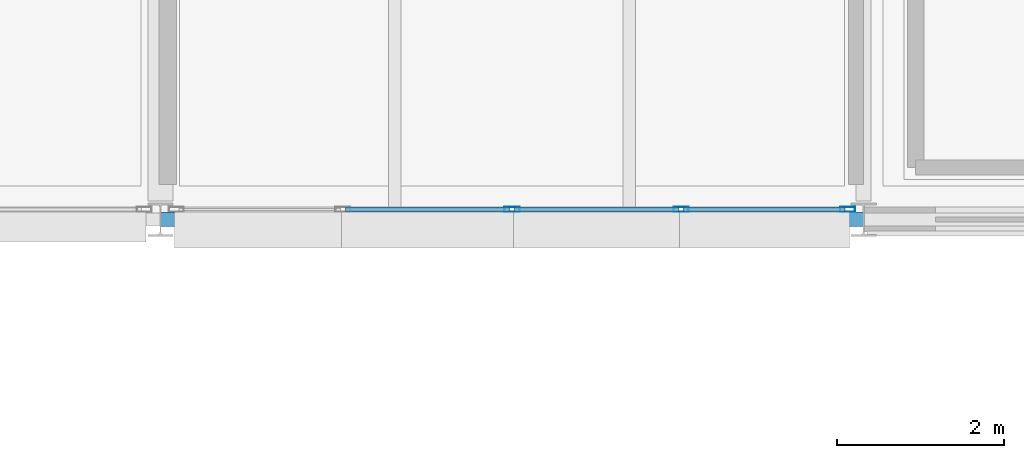
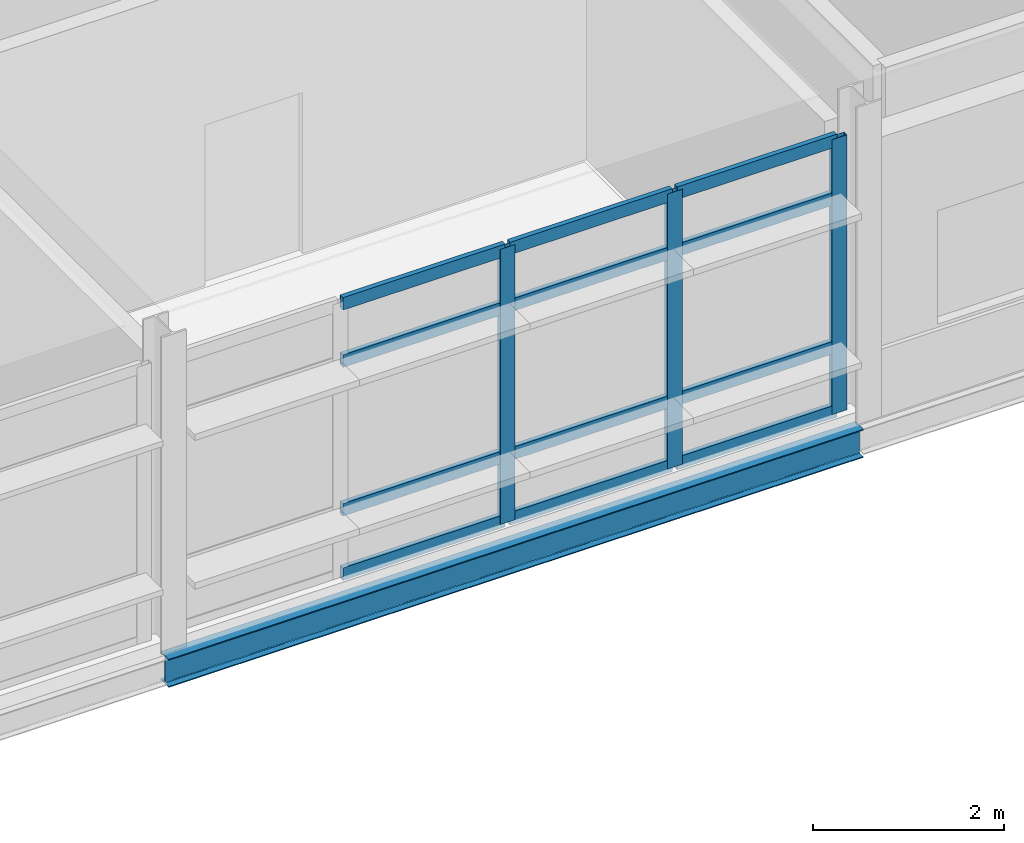
# One storey, part 37 of 66: 15 members, 1 beam, 1 element without a shape of its own.
"""IFC4 building model written with IfcOpenShell, lengths in metres."""

from ifc_helpers import new_model, si_unit, direction, frame, origin, origin_2d, place, context, subcontext, project, spatial, hollow_rectangle, i_section, extrude, material, material_profile, profile_set, type_object, element, aggregate, save


model = new_model("IFC4")

# Units and contexts
model_context = context("Model", 3, precision=1e-05, world=origin(), true_north=direction((0.0, 1.0)))
body_context = subcontext(model_context, "Body", "Model", "MODEL_VIEW")
ifc_project = project(units=[si_unit("LENGTHUNIT", "METRE"), si_unit("AREAUNIT", "SQUARE_METRE"), si_unit("VOLUMEUNIT", "CUBIC_METRE"), si_unit("PLANEANGLEUNIT", "RADIAN"), si_unit("MASSUNIT", "GRAM", prefix="KILO")], contexts=[model_context])

# Site, building, storey
site_placement = place(None, origin())
site = spatial("IfcSite", under=ifc_project, at=site_placement, CompositionType="ELEMENT")
building_placement = place(site_placement, origin())
building = spatial("IfcBuilding", under=site, at=building_placement, Name="Mersafa Astral City Hall", CompositionType="ELEMENT")
storey_placement = place(building_placement, frame((0.0, 0.0, 22.050048828125)))
storey = spatial("IfcBuildingStorey", under=building, at=storey_placement, Name="L05", CompositionType="ELEMENT", Elevation=22.050048828125)

# Curtain wall, members
ifc_material_1 = material(Name="Anodised bronze aluminium framing", Category="aluminium")
curtain_wall_type = type_object("IfcCurtainWallType", Name="ENV-CW-5", PredefinedType="USERDEFINED", material=ifc_material_1)
curtain_wall_placement = place(storey_placement, origin())
curtain_wall = element("IfcCurtainWall", 1, at=curtain_wall_placement, inside=storey, type_object=curtain_wall_type, Name="L05 Unitised solar curtain wall 244", ObjectType="UNITISED CURTAIN WALL", PredefinedType="USERDEFINED")
ifc_material_profile_1 = material_profile(ifc_material_1, hollow_rectangle(XDim=0.06005859375, YDim=0.179931640625, WallThickness=0.00390625, at=origin_2d()), Name="RHS 60x180x4")
ifc_profile_set_1 = profile_set([ifc_material_profile_1], Name="Anodised bronze aluminium framing")
member_type_1 = type_object("IfcMemberType", Name="ENV-CW-MUL-1", PredefinedType="MULLION", material=ifc_profile_set_1)
member_1_placement = place(storey_placement, frame((155.39990234375, 100.919921875, -0.001953125), z_axis=(0.0, 0.0, 1.0), x_axis=(0.0, 1.0, 0.0)))
member_1 = element("IfcMember", 2, at=member_1_placement, type_object=member_type_1, Name="CW-5 mullion 3", PredefinedType="MULLION", context=body_context, shape_type="SweptSolid", body=[
    extrude(hollow_rectangle(XDim=0.06005859375, YDim=0.179931640625, WallThickness=0.00390625, at=origin_2d()), origin(), (0.0, 0.0, 1.0), 3.513916015625),
])
member_2_placement = place(storey_placement, frame((157.4189453125, 100.919921875, -0.001953125), z_axis=(0.0, 0.0, 1.0), x_axis=(0.0, 1.0, 0.0)))
member_2 = element("IfcMember", 3, at=member_2_placement, type_object=member_type_1, Name="CW-5 mullion 4", PredefinedType="MULLION", context=body_context, shape_type="SweptSolid", body=[
    extrude(hollow_rectangle(XDim=0.06005859375, YDim=0.179931640625, WallThickness=0.00390625, at=origin_2d()), origin(), (0.0, 0.0, 1.0), 3.513916015625),
])
member_3_placement = place(storey_placement, frame((159.407958984375, 100.919921875, -0.001953125), z_axis=(0.0, 0.0, 1.0), x_axis=(0.0, 1.0, 0.0)))
member_3 = element("IfcMember", 4, at=member_3_placement, type_object=member_type_1, Name="CW-5 mullion 5", PredefinedType="MULLION", context=body_context, shape_type="SweptSolid", body=[
    extrude(hollow_rectangle(XDim=0.06005859375, YDim=0.179931640625, WallThickness=0.00390625, at=origin_2d()), origin(), (0.0, 0.0, 1.0), 3.513916015625),
])
ifc_material_profile_2 = material_profile(ifc_material_1, hollow_rectangle(XDim=0.06005859375, YDim=0.159912109375, WallThickness=0.00390625, at=origin_2d()), Name="RHS 60x160x4")
ifc_profile_set_2 = profile_set([ifc_material_profile_2], Name="Anodised bronze aluminium framing")
member_type_2 = type_object("IfcMemberType", Name="ENV-CW-TRN-2", PredefinedType="USERDEFINED", material=ifc_profile_set_2)
member_4_placement = place(storey_placement, frame((153.410888671875, 100.919921875, 0.02783203125), z_axis=(1.0, 0.0, 0.0), x_axis=(0.0, 1.0, 0.0)))
member_4 = element("IfcMember", 5, at=member_4_placement, type_object=member_type_2, Name="CW-5 transom 2.1", ObjectType="TRANSOM", PredefinedType="USERDEFINED", context=body_context, shape_type="SweptSolid", body=[
    extrude(hollow_rectangle(XDim=0.06005859375, YDim=0.159912109375, WallThickness=0.00390625, at=origin_2d()), origin(), (0.0, 0.0, 1.0), 1.959228515625),
])
member_5_placement = place(storey_placement, frame((153.410888671875, 100.919921875, 0.849853515625), z_axis=(1.0, 0.0, 0.0), x_axis=(0.0, 1.0, 0.0)))
member_5 = element("IfcMember", 6, at=member_5_placement, type_object=member_type_2, Name="CW-5 transom 2.2", ObjectType="TRANSOM", PredefinedType="USERDEFINED", context=body_context, shape_type="SweptSolid", body=[
    extrude(hollow_rectangle(XDim=0.06005859375, YDim=0.159912109375, WallThickness=0.00390625, at=origin_2d()), origin(), (0.0, 0.0, 1.0), 1.959228515625),
])
member_6_placement = place(storey_placement, frame((153.410888671875, 100.919921875, 2.75), z_axis=(1.0, 0.0, 0.0), x_axis=(0.0, 1.0, 0.0)))
member_6 = element("IfcMember", 7, at=member_6_placement, type_object=member_type_2, Name="CW-5 transom 2.3", ObjectType="TRANSOM", PredefinedType="USERDEFINED", context=body_context, shape_type="SweptSolid", body=[
    extrude(hollow_rectangle(XDim=0.06005859375, YDim=0.159912109375, WallThickness=0.00390625, at=origin_2d()), origin(), (0.0, 0.0, 1.0), 1.959228515625),
])
member_7_placement = place(storey_placement, frame((153.410888671875, 100.919921875, 3.48193359375), z_axis=(1.0, 0.0, 0.0), x_axis=(0.0, 1.0, 0.0)))
member_7 = element("IfcMember", 8, at=member_7_placement, type_object=member_type_2, Name="CW-5 transom 2.4", ObjectType="TRANSOM", PredefinedType="USERDEFINED", context=body_context, shape_type="SweptSolid", body=[
    extrude(hollow_rectangle(XDim=0.06005859375, YDim=0.159912109375, WallThickness=0.00390625, at=origin_2d()), origin(), (0.0, 0.0, 1.0), 1.959228515625),
])
member_8_placement = place(storey_placement, frame((155.429931640625, 100.919921875, 0.02783203125), z_axis=(1.0, 0.0, 0.0), x_axis=(0.0, 1.0, 0.0)))
member_8 = element("IfcMember", 9, at=member_8_placement, type_object=member_type_2, Name="CW-5 transom 3.1", ObjectType="TRANSOM", PredefinedType="USERDEFINED", context=body_context, shape_type="SweptSolid", body=[
    extrude(hollow_rectangle(XDim=0.06005859375, YDim=0.159912109375, WallThickness=0.00390625, at=origin_2d()), origin(), (0.0, 0.0, 1.0), 1.958984375),
])
member_9_placement = place(storey_placement, frame((155.429931640625, 100.919921875, 0.849853515625), z_axis=(1.0, 0.0, 0.0), x_axis=(0.0, 1.0, 0.0)))
member_9 = element("IfcMember", 10, at=member_9_placement, type_object=member_type_2, Name="CW-5 transom 3.2", ObjectType="TRANSOM", PredefinedType="USERDEFINED", context=body_context, shape_type="SweptSolid", body=[
    extrude(hollow_rectangle(XDim=0.06005859375, YDim=0.159912109375, WallThickness=0.00390625, at=origin_2d()), origin(), (0.0, 0.0, 1.0), 1.958984375),
])
member_10_placement = place(storey_placement, frame((155.429931640625, 100.919921875, 2.75), z_axis=(1.0, 0.0, 0.0), x_axis=(0.0, 1.0, 0.0)))
member_10 = element("IfcMember", 11, at=member_10_placement, type_object=member_type_2, Name="CW-5 transom 3.3", ObjectType="TRANSOM", PredefinedType="USERDEFINED", context=body_context, shape_type="SweptSolid", body=[
    extrude(hollow_rectangle(XDim=0.06005859375, YDim=0.159912109375, WallThickness=0.00390625, at=origin_2d()), origin(), (0.0, 0.0, 1.0), 1.958984375),
])
member_11_placement = place(storey_placement, frame((155.429931640625, 100.919921875, 3.48193359375), z_axis=(1.0, 0.0, 0.0), x_axis=(0.0, 1.0, 0.0)))
member_11 = element("IfcMember", 12, at=member_11_placement, type_object=member_type_2, Name="CW-5 transom 3.4", ObjectType="TRANSOM", PredefinedType="USERDEFINED", context=body_context, shape_type="SweptSolid", body=[
    extrude(hollow_rectangle(XDim=0.06005859375, YDim=0.159912109375, WallThickness=0.00390625, at=origin_2d()), origin(), (0.0, 0.0, 1.0), 1.958984375),
])
member_12_placement = place(storey_placement, frame((157.448974609375, 100.919921875, 0.02783203125), z_axis=(1.0, 0.0, 0.0), x_axis=(0.0, 1.0, 0.0)))
member_12 = element("IfcMember", 13, at=member_12_placement, type_object=member_type_2, Name="CW-5 transom 4.1", ObjectType="TRANSOM", PredefinedType="USERDEFINED", context=body_context, shape_type="SweptSolid", body=[
    extrude(hollow_rectangle(XDim=0.06005859375, YDim=0.159912109375, WallThickness=0.00390625, at=origin_2d()), origin(), (0.0, 0.0, 1.0), 1.928955078125),
])
member_13_placement = place(storey_placement, frame((157.448974609375, 100.919921875, 0.849853515625), z_axis=(1.0, 0.0, 0.0), x_axis=(0.0, 1.0, 0.0)))
member_13 = element("IfcMember", 14, at=member_13_placement, type_object=member_type_2, Name="CW-5 transom 4.2", ObjectType="TRANSOM", PredefinedType="USERDEFINED", context=body_context, shape_type="SweptSolid", body=[
    extrude(hollow_rectangle(XDim=0.06005859375, YDim=0.159912109375, WallThickness=0.00390625, at=origin_2d()), origin(), (0.0, 0.0, 1.0), 1.928955078125),
])
member_14_placement = place(storey_placement, frame((157.448974609375, 100.919921875, 2.75), z_axis=(1.0, 0.0, 0.0), x_axis=(0.0, 1.0, 0.0)))
member_14 = element("IfcMember", 15, at=member_14_placement, type_object=member_type_2, Name="CW-5 transom 4.3", ObjectType="TRANSOM", PredefinedType="USERDEFINED", context=body_context, shape_type="SweptSolid", body=[
    extrude(hollow_rectangle(XDim=0.06005859375, YDim=0.159912109375, WallThickness=0.00390625, at=origin_2d()), origin(), (0.0, 0.0, 1.0), 1.928955078125),
])
member_15_placement = place(storey_placement, frame((157.448974609375, 100.919921875, 3.48193359375), z_axis=(1.0, 0.0, 0.0), x_axis=(0.0, 1.0, 0.0)))
member_15 = element("IfcMember", 16, at=member_15_placement, type_object=member_type_2, Name="CW-5 transom 4.4", ObjectType="TRANSOM", PredefinedType="USERDEFINED", context=body_context, shape_type="SweptSolid", body=[
    extrude(hollow_rectangle(XDim=0.06005859375, YDim=0.159912109375, WallThickness=0.00390625, at=origin_2d()), origin(), (0.0, 0.0, 1.0), 1.928955078125),
])
aggregate(curtain_wall, [member_1, member_2, member_3, member_4, member_5, member_6, member_7, member_8, member_9, member_10, member_11, member_12, member_13, member_14, member_15])

# Beam
ifc_material_2 = material(Name="Steel S355", Category="steel")
ifc_material_profile_3 = material_profile(ifc_material_2, i_section(OverallWidth=0.169921875, OverallDepth=0.360107421875, WebThickness=0.008056640625, FlangeThickness=0.0126953125, FilletRadius=0.01806640625, at=origin_2d()), Name="IPE 360")
ifc_profile_set_3 = profile_set([ifc_material_profile_3], Name="Steel S355")
beam_type = type_object("IfcBeamType", Name="STR-BM-SPANDREL-IPE360", PredefinedType="SPANDREL", material=ifc_profile_set_3)
beam_placement = place(storey_placement, frame((151.202880859375, 100.800048828125, -0.360107421875), z_axis=(1.0, 0.0, 0.0), x_axis=(0.0, 1.0, 0.0)))
element("IfcBeam", 17, at=beam_placement, inside=storey, type_object=beam_type, Name="L05 Primary girder X 18-12", PredefinedType="SPANDREL", context=body_context, shape_type="SweptSolid", body=[
    extrude(i_section(OverallWidth=0.169921875, OverallDepth=0.360107421875, WebThickness=0.008056640625, FlangeThickness=0.0126953125, FilletRadius=0.01806640625, at=origin_2d()), origin(), (0.0, 0.0, 1.0), 8.39404296875),
])

save(model, "model.ifc")
